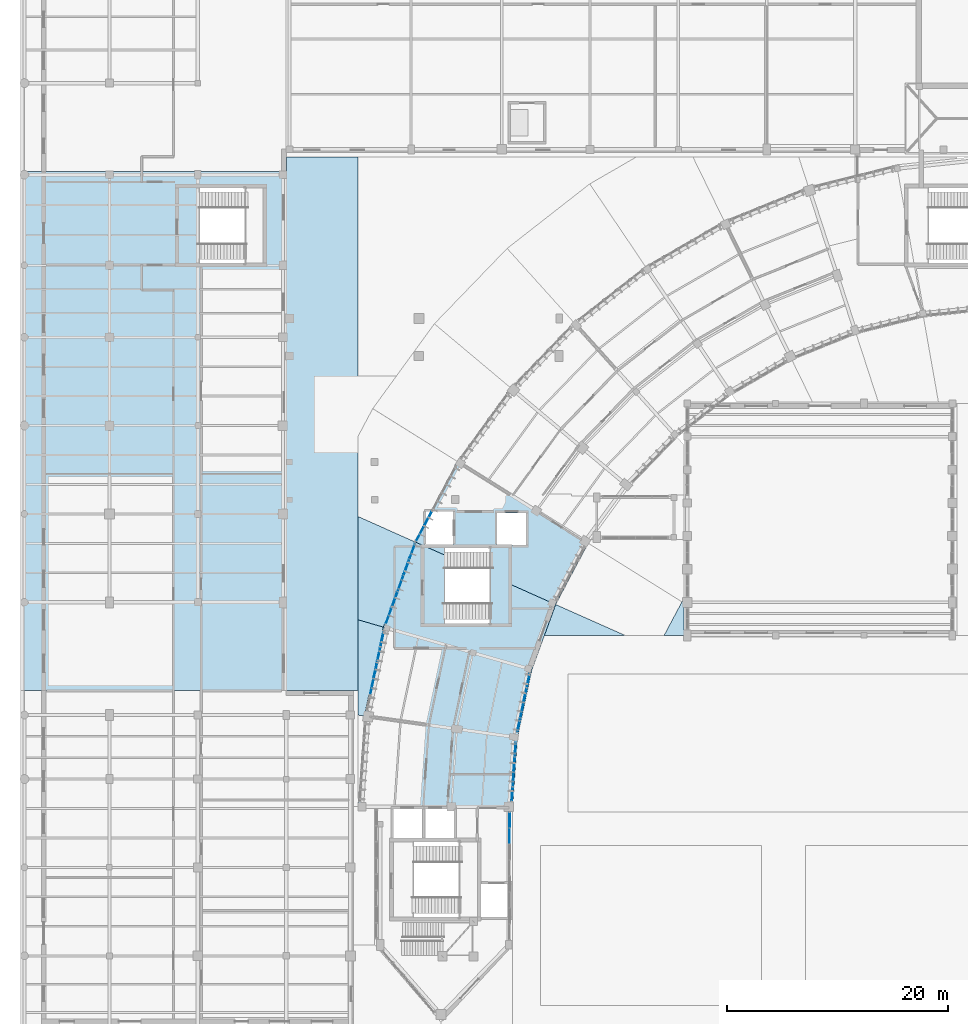
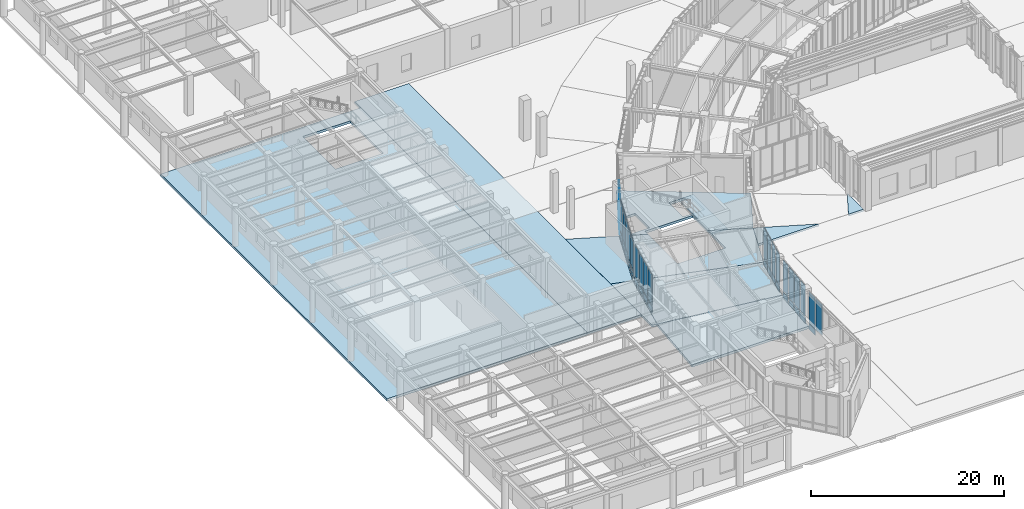
# One storey, part 21 of 68: 41 plates, 11 slabs, 7 elements without a shape of their own.
"""IFC4 building model written with IfcOpenShell, lengths in metres."""

from ifc_helpers import new_model, si_unit, direction, frame, origin, origin_2d, place, context, subcontext, project, spatial, polyline, rectangle, outline, extrude, material, layer, layer_set, type_object, element, aggregate, save


model = new_model("IFC4")

# Units and contexts
model_context = context("Model", 3, precision=1e-05, world=origin(), true_north=direction((0.0, 1.0)))
body_context = subcontext(model_context, "Body", "Model", "MODEL_VIEW")
ifc_project = project(units=[si_unit("LENGTHUNIT", "METRE"), si_unit("AREAUNIT", "SQUARE_METRE"), si_unit("VOLUMEUNIT", "CUBIC_METRE"), si_unit("PLANEANGLEUNIT", "RADIAN"), si_unit("MASSUNIT", "GRAM", prefix="KILO"), si_unit("THERMODYNAMICTEMPERATUREUNIT", "KELVIN"), si_unit("POWERUNIT", "WATT")], contexts=[model_context])

# Site, building, storey
site_placement = place(None, origin())
site = spatial("IfcSite", under=ifc_project, at=site_placement, CompositionType="ELEMENT")
building_placement = place(site_placement, origin())
building = spatial("IfcBuilding", under=site, at=building_placement, Name="Solvatero Civic Police Headquarters", CompositionType="ELEMENT")
storey_placement = place(building_placement, origin())
storey = spatial("IfcBuildingStorey", under=building, at=storey_placement, Name="L00", CompositionType="ELEMENT", Elevation=0.0)

# Curtain wall, plate
ifc_material_1 = material(Name="Anodized Bronze Aluminium", Category="aluminium")
ifc_layer_1 = layer(ifc_material_1, 0.179931640625)
ifc_layer_set_1 = layer_set([ifc_layer_1], Name="Anodized Bronze Aluminium")
curtain_wall_type_1 = type_object("IfcCurtainWallType", Name="CW-ARC-OUT", PredefinedType="USERDEFINED", material=ifc_layer_set_1)
curtain_wall_1_placement = place(storey_placement, origin())
curtain_wall_1 = element("IfcCurtainWall", 1, at=curtain_wall_1_placement, inside=storey, type_object=curtain_wall_type_1, Name="Curtain Wall CW-R2-L00-ARC-OUT-B09", ObjectType="UNITISED", PredefinedType="USERDEFINED")
ifc_material_2 = material(Name="Triple Low-E Laminated Glass", Category="glass")
ifc_layer_2 = layer(ifc_material_2, 0.0380859375)
ifc_layer_set_2 = layer_set([ifc_layer_2], Name="Triple Low-E Laminated Glass")
plate_type_1 = type_object("IfcPlateType", Name="CWP-GLZ-38", PredefinedType="CURTAIN_PANEL", material=ifc_layer_set_2)
plate_1_placement = place(storey_placement, frame((40.602294921875, 50.685791015625, 0.91015625), z_axis=(0.0, 0.0, 1.0), x_axis=(-0.469471562786, -0.882947592859, 0.0)))
plate_1 = element("IfcPlate", 2, at=plate_1_placement, type_object=plate_type_1, Name="CW-R2-L00-ARC-OUT-B09 Vision Glazing 5", PredefinedType="CURTAIN_PANEL", context=body_context, shape_type="SweptSolid", body=[
    extrude(rectangle(XDim=1.36962890625, YDim=0.0380859375, at=origin_2d()), origin(), (0.0, 0.0, 1.0), 3.909912109375),
])

# Curtain wall, plates
curtain_wall_2_placement = place(storey_placement, origin())
curtain_wall_2 = element("IfcCurtainWall", 3, at=curtain_wall_2_placement, inside=storey, type_object=curtain_wall_type_1, Name="Curtain Wall CW-R2-L00-ARC-OUT-B10", ObjectType="UNITISED", PredefinedType="USERDEFINED")
plate_2_placement = place(storey_placement, frame((39.92138671875, 49.15478515625, 0.91015625), z_axis=(0.0, 0.0, 1.0), x_axis=(-0.342003742543, -0.93969859002, 0.0)))
plate_2 = element("IfcPlate", 4, at=plate_2_placement, type_object=plate_type_1, Name="CW-R2-L00-ARC-OUT-B10 Vision Glazing 1", PredefinedType="CURTAIN_PANEL", context=body_context, shape_type="SweptSolid", body=[
    extrude(rectangle(XDim=1.3896484375, YDim=0.0380859375, at=origin_2d()), origin(), (0.0, 0.0, 1.0), 3.909912109375),
])
plate_3_placement = place(storey_placement, frame((38.84765625, 46.20458984375, 0.91015625), z_axis=(0.0, 0.0, 1.0), x_axis=(-0.342003742543, -0.93969859002, 0.0)))
plate_3 = element("IfcPlate", 5, at=plate_3_placement, type_object=plate_type_1, Name="CW-R2-L00-ARC-OUT-B10 Vision Glazing 3", PredefinedType="CURTAIN_PANEL", context=body_context, shape_type="SweptSolid", body=[
    extrude(rectangle(XDim=1.3896484375, YDim=0.0380859375, at=origin_2d()), origin(), (0.0, 0.0, 1.0), 3.909912109375),
])
plate_4_placement = place(storey_placement, frame((37.77392578125, 43.25439453125, 0.91015625), z_axis=(0.0, 0.0, 1.0), x_axis=(-0.342003742543, -0.93969859002, 0.0)))
plate_4 = element("IfcPlate", 6, at=plate_4_placement, type_object=plate_type_1, Name="CW-R2-L00-ARC-OUT-B10 Vision Glazing 5", PredefinedType="CURTAIN_PANEL", context=body_context, shape_type="SweptSolid", body=[
    extrude(rectangle(XDim=1.3896484375, YDim=0.0380859375, at=origin_2d()), origin(), (0.0, 0.0, 1.0), 3.909912109375),
])

curtain_wall_3_placement = place(storey_placement, origin())
curtain_wall_3 = element("IfcCurtainWall", 7, at=curtain_wall_3_placement, inside=storey, type_object=curtain_wall_type_1, Name="Curtain Wall CW-R2-L00-ARC-OUT-B11", ObjectType="UNITISED", PredefinedType="USERDEFINED")
plate_5_placement = place(storey_placement, frame((36.87548828125, 39.758056640625, 0.91015625), z_axis=(0.0, 0.0, 1.0), x_axis=(-0.207911690818, -0.978147600734, 0.0)))
plate_5 = element("IfcPlate", 8, at=plate_5_placement, type_object=plate_type_1, Name="CW-R2-L00-ARC-OUT-B11 Vision Glazing 2", PredefinedType="CURTAIN_PANEL", context=body_context, shape_type="SweptSolid", body=[
    extrude(rectangle(XDim=1.300537109375, YDim=0.0380859375, at=origin_2d()), origin(), (0.0, 0.0, 1.0), 3.909912109375),
])
plate_6_placement = place(storey_placement, frame((36.260009765625, 36.86181640625, 0.91015625), z_axis=(0.0, 0.0, 1.0), x_axis=(-0.207911690818, -0.978147600734, 0.0)))
plate_6 = element("IfcPlate", 9, at=plate_6_placement, type_object=plate_type_1, Name="CW-R2-L00-ARC-OUT-B11 Vision Glazing 4", PredefinedType="CURTAIN_PANEL", context=body_context, shape_type="SweptSolid", body=[
    extrude(rectangle(XDim=1.300537109375, YDim=0.0380859375, at=origin_2d()), origin(), (0.0, 0.0, 1.0), 3.909912109375),
])

ifc_layer_3 = layer(ifc_material_1, 0.179931640625)
ifc_layer_set_3 = layer_set([ifc_layer_3], Name="Anodized Bronze Aluminium")
curtain_wall_type_2 = type_object("IfcCurtainWallType", Name="CW-ARC-IN", PredefinedType="USERDEFINED", material=ifc_layer_set_3)
curtain_wall_4_placement = place(storey_placement, origin())
curtain_wall_4 = element("IfcCurtainWall", 10, at=curtain_wall_4_placement, inside=storey, type_object=curtain_wall_type_2, Name="Curtain Wall CW-R2-L00-ARC-IN-B11", ObjectType="UNITISED", PredefinedType="USERDEFINED")
plate_7_placement = place(storey_placement, frame((50.416259765625, 37.441650390625, 0.91015625), z_axis=(0.0, 0.0, 1.0), x_axis=(-0.207911690818, -0.978147600734, 0.0)))
plate_7 = element("IfcPlate", 11, at=plate_7_placement, type_object=plate_type_1, Name="CW-R2-L00-ARC-IN-B11 Vision Glazing 1", PredefinedType="CURTAIN_PANEL", context=body_context, shape_type="SweptSolid", body=[
    extrude(rectangle(XDim=1.206787109375, YDim=0.0380859375, at=origin_2d()), origin(), (0.0, 0.0, 1.0), 3.909912109375),
])
plate_8_placement = place(storey_placement, frame((49.839599609375, 34.728759765625, 0.91015625), z_axis=(0.0, 0.0, 1.0), x_axis=(-0.207911690818, -0.978147600734, 0.0)))
plate_8 = element("IfcPlate", 12, at=plate_8_placement, type_object=plate_type_1, Name="CW-R2-L00-ARC-IN-B11 Vision Glazing 3", PredefinedType="CURTAIN_PANEL", context=body_context, shape_type="SweptSolid", body=[
    extrude(rectangle(XDim=1.206787109375, YDim=0.0380859375, at=origin_2d()), origin(), (0.0, 0.0, 1.0), 3.909912109375),
])

curtain_wall_5_placement = place(storey_placement, origin())
curtain_wall_5 = element("IfcCurtainWall", 13, at=curtain_wall_5_placement, inside=storey, type_object=curtain_wall_type_2, Name="Curtain Wall CW-R2-L00-ARC-IN-B12", ObjectType="UNITISED", PredefinedType="USERDEFINED")
plate_9_placement = place(storey_placement, frame((49.2421875, 31.180419921875, 0.91015625), z_axis=(0.0, 0.0, 1.0), x_axis=(-0.069756473744, -0.99756405026, 0.0)))
plate_9 = element("IfcPlate", 14, at=plate_9_placement, type_object=plate_type_1, Name="CW-R2-L00-ARC-IN-B12 Vision Glazing 1", PredefinedType="CURTAIN_PANEL", context=body_context, shape_type="SweptSolid", body=[
    extrude(rectangle(XDim=1.175537109375, YDim=0.0380859375, at=origin_2d()), origin(), (0.0, 0.0, 1.0), 3.909912109375),
])
plate_10_placement = place(storey_placement, frame((49.052978515625, 28.47607421875, 0.91015625), z_axis=(0.0, 0.0, 1.0), x_axis=(-0.069756473744, -0.99756405026, 0.0)))
plate_10 = element("IfcPlate", 15, at=plate_10_placement, type_object=plate_type_1, Name="CW-R2-L00-ARC-IN-B12 Vision Glazing 3", PredefinedType="CURTAIN_PANEL", context=body_context, shape_type="SweptSolid", body=[
    extrude(rectangle(XDim=1.175537109375, YDim=0.0380859375, at=origin_2d()), origin(), (0.0, 0.0, 1.0), 3.909912109375),
])

# Curtain wall, plate
ifc_layer_4 = layer(ifc_material_1, 0.179931640625)
ifc_layer_set_4 = layer_set([ifc_layer_4], Name="Anodized Bronze Aluminium")
curtain_wall_type_3 = type_object("IfcCurtainWallType", Name="CW-PROW-GLZ", PredefinedType="USERDEFINED", material=ifc_layer_set_4)
curtain_wall_6_placement = place(storey_placement, origin())
curtain_wall_6 = element("IfcCurtainWall", 16, at=curtain_wall_6_placement, inside=storey, type_object=curtain_wall_type_3, Name="Curtain Wall CW-R2-L00-PROW-E", ObjectType="UNITISED", PredefinedType="USERDEFINED")
plate_11_placement = place(storey_placement, frame((48.719970703125, 23.36083984375, 0.91015625), z_axis=(0.0, 0.0, 1.0), x_axis=(0.0, 1.0, 0.0)))
plate_11 = element("IfcPlate", 17, at=plate_11_placement, type_object=plate_type_1, Name="CW-R2-L00-PROW-E Vision Glazing 7", PredefinedType="CURTAIN_PANEL", context=body_context, shape_type="SweptSolid", body=[
    extrude(rectangle(XDim=1.269287109375, YDim=0.0380859375, at=origin_2d()), origin(), (0.0, 0.0, 1.0), 3.909912109375),
])

# Plate
ifc_material_3 = material(Name="Acoustic Ballistic Laminated Glass", Category="glass")
ifc_layer_5 = layer(ifc_material_3, 0.0439453125)
ifc_layer_set_5 = layer_set([ifc_layer_5], Name="Acoustic Ballistic Laminated Glass")
plate_type_2 = type_object("IfcPlateType", Name="CWP-GLZ-44", PredefinedType="CURTAIN_PANEL", material=ifc_layer_set_5)
plate_12_placement = place(storey_placement, frame((41.329833984375, 52.05419921875, 0.91015625), z_axis=(0.0, 0.0, 1.0), x_axis=(-0.469471562786, -0.882947592859, 0.0)))
plate_12 = element("IfcPlate", 18, at=plate_12_placement, type_object=plate_type_2, Name="CW-R2-L00-ARC-OUT-B09 Vision Glazing 4", PredefinedType="CURTAIN_PANEL", context=body_context, shape_type="SweptSolid", body=[
    extrude(rectangle(XDim=1.36962890625, YDim=0.0439453125, at=origin_2d()), origin(), (0.0, 0.0, 1.0), 3.909912109375),
])

plate_13_placement = place(storey_placement, frame((39.384521484375, 47.6796875, 0.91015625), z_axis=(0.0, 0.0, 1.0), x_axis=(-0.342003742543, -0.93969859002, 0.0)))
plate_13 = element("IfcPlate", 19, at=plate_13_placement, type_object=plate_type_2, Name="CW-R2-L00-ARC-OUT-B10 Vision Glazing 2", PredefinedType="CURTAIN_PANEL", context=body_context, shape_type="SweptSolid", body=[
    extrude(rectangle(XDim=1.3896484375, YDim=0.0439453125, at=origin_2d()), origin(), (0.0, 0.0, 1.0), 3.909912109375),
])

plate_14_placement = place(storey_placement, frame((38.310791015625, 44.7294921875, 0.91015625), z_axis=(0.0, 0.0, 1.0), x_axis=(-0.342003742543, -0.93969859002, 0.0)))
plate_14 = element("IfcPlate", 20, at=plate_14_placement, type_object=plate_type_2, Name="CW-R2-L00-ARC-OUT-B10 Vision Glazing 4", PredefinedType="CURTAIN_PANEL", context=body_context, shape_type="SweptSolid", body=[
    extrude(rectangle(XDim=1.3896484375, YDim=0.0439453125, at=origin_2d()), origin(), (0.0, 0.0, 1.0), 3.909912109375),
])

plate_15_placement = place(storey_placement, frame((37.183349609375, 41.2060546875, 0.91015625), z_axis=(0.0, 0.0, 1.0), x_axis=(-0.207911690818, -0.978147600734, 0.0)))
plate_15 = element("IfcPlate", 21, at=plate_15_placement, type_object=plate_type_2, Name="CW-R2-L00-ARC-OUT-B11 Vision Glazing 1", PredefinedType="CURTAIN_PANEL", context=body_context, shape_type="SweptSolid", body=[
    extrude(rectangle(XDim=1.300537109375, YDim=0.0439453125, at=origin_2d()), origin(), (0.0, 0.0, 1.0), 3.909912109375),
])

plate_16_placement = place(storey_placement, frame((36.56787109375, 38.309814453125, 0.91015625), z_axis=(0.0, 0.0, 1.0), x_axis=(-0.207911690818, -0.978147600734, 0.0)))
plate_16 = element("IfcPlate", 22, at=plate_16_placement, type_object=plate_type_2, Name="CW-R2-L00-ARC-OUT-B11 Vision Glazing 3", PredefinedType="CURTAIN_PANEL", context=body_context, shape_type="SweptSolid", body=[
    extrude(rectangle(XDim=1.300537109375, YDim=0.0439453125, at=origin_2d()), origin(), (0.0, 0.0, 1.0), 3.909912109375),
])

plate_17_placement = place(storey_placement, frame((50.1279296875, 36.085205078125, 0.91015625), z_axis=(0.0, 0.0, 1.0), x_axis=(-0.207911690818, -0.978147600734, 0.0)))
plate_17 = element("IfcPlate", 23, at=plate_17_placement, type_object=plate_type_2, Name="CW-R2-L00-ARC-IN-B11 Vision Glazing 2", PredefinedType="CURTAIN_PANEL", context=body_context, shape_type="SweptSolid", body=[
    extrude(rectangle(XDim=1.206787109375, YDim=0.0439453125, at=origin_2d()), origin(), (0.0, 0.0, 1.0), 3.909912109375),
])

plate_18_placement = place(storey_placement, frame((49.551513671875, 33.372314453125, 0.91015625), z_axis=(0.0, 0.0, 1.0), x_axis=(-0.207911690818, -0.978147600734, 0.0)))
plate_18 = element("IfcPlate", 24, at=plate_18_placement, type_object=plate_type_2, Name="CW-R2-L00-ARC-IN-B11 Vision Glazing 4", PredefinedType="CURTAIN_PANEL", context=body_context, shape_type="SweptSolid", body=[
    extrude(rectangle(XDim=1.206787109375, YDim=0.0439453125, at=origin_2d()), origin(), (0.0, 0.0, 1.0), 3.909912109375),
])

plate_19_placement = place(storey_placement, frame((49.147705078125, 29.828369140625, 0.91015625), z_axis=(0.0, 0.0, 1.0), x_axis=(-0.069756473744, -0.99756405026, 0.0)))
plate_19 = element("IfcPlate", 25, at=plate_19_placement, type_object=plate_type_2, Name="CW-R2-L00-ARC-IN-B12 Vision Glazing 2", PredefinedType="CURTAIN_PANEL", context=body_context, shape_type="SweptSolid", body=[
    extrude(rectangle(XDim=1.175537109375, YDim=0.0439453125, at=origin_2d()), origin(), (0.0, 0.0, 1.0), 3.909912109375),
])

plate_20_placement = place(storey_placement, frame((48.95849609375, 27.1240234375, 0.91015625), z_axis=(0.0, 0.0, 1.0), x_axis=(-0.069756473744, -0.99756405026, 0.0)))
plate_20 = element("IfcPlate", 26, at=plate_20_placement, type_object=plate_type_2, Name="CW-R2-L00-ARC-IN-B12 Vision Glazing 4", PredefinedType="CURTAIN_PANEL", context=body_context, shape_type="SweptSolid", body=[
    extrude(rectangle(XDim=1.175537109375, YDim=0.0439453125, at=origin_2d()), origin(), (0.0, 0.0, 1.0), 3.909912109375),
])

plate_21_placement = place(storey_placement, frame((48.719970703125, 24.810302734375, 0.91015625), z_axis=(0.0, 0.0, 1.0), x_axis=(0.0, 1.0, 0.0)))
plate_21 = element("IfcPlate", 27, at=plate_21_placement, type_object=plate_type_2, Name="CW-R2-L00-PROW-E Vision Glazing 8", PredefinedType="CURTAIN_PANEL", context=body_context, shape_type="SweptSolid", body=[
    extrude(rectangle(XDim=1.269287109375, YDim=0.0439453125, at=origin_2d()), origin(), (0.0, 0.0, 1.0), 3.909912109375),
])

ifc_material_4 = material(Name="Insulated Bronze Aluminium Spandrel", Category="aluminium")
ifc_layer_6 = layer(ifc_material_4, 0.06005859375)
ifc_layer_set_6 = layer_set([ifc_layer_6], Name="Insulated Bronze Aluminium Spandrel")
plate_type_3 = type_object("IfcPlateType", Name="CWP-SPN-60", PredefinedType="CURTAIN_PANEL", material=ifc_layer_set_6)
plate_22_placement = place(storey_placement, frame((40.602294921875, 50.685791015625, 0.06005859375), z_axis=(0.0, 0.0, 1.0), x_axis=(-0.469471562786, -0.882947592859, 0.0)))
plate_22 = element("IfcPlate", 28, at=plate_22_placement, type_object=plate_type_3, Name="CW-R2-L00-ARC-OUT-B09 Spandrel Panel 5", PredefinedType="CURTAIN_PANEL", context=body_context, shape_type="SweptSolid", body=[
    extrude(rectangle(XDim=1.36962890625, YDim=0.06005859375, at=origin_2d()), origin(), (0.0, 0.0, 1.0), 0.72998046875),
])

plate_23_placement = place(storey_placement, frame((39.92138671875, 49.15478515625, 0.06005859375), z_axis=(0.0, 0.0, 1.0), x_axis=(-0.342003742543, -0.93969859002, 0.0)))
plate_23 = element("IfcPlate", 29, at=plate_23_placement, type_object=plate_type_3, Name="CW-R2-L00-ARC-OUT-B10 Spandrel Panel 1", PredefinedType="CURTAIN_PANEL", context=body_context, shape_type="SweptSolid", body=[
    extrude(rectangle(XDim=1.3896484375, YDim=0.06005859375, at=origin_2d()), origin(), (0.0, 0.0, 1.0), 0.72998046875),
])

plate_24_placement = place(storey_placement, frame((38.84765625, 46.20458984375, 0.06005859375), z_axis=(0.0, 0.0, 1.0), x_axis=(-0.342003742543, -0.93969859002, 0.0)))
plate_24 = element("IfcPlate", 30, at=plate_24_placement, type_object=plate_type_3, Name="CW-R2-L00-ARC-OUT-B10 Spandrel Panel 3", PredefinedType="CURTAIN_PANEL", context=body_context, shape_type="SweptSolid", body=[
    extrude(rectangle(XDim=1.3896484375, YDim=0.06005859375, at=origin_2d()), origin(), (0.0, 0.0, 1.0), 0.72998046875),
])

plate_25_placement = place(storey_placement, frame((37.77392578125, 43.25439453125, 0.06005859375), z_axis=(0.0, 0.0, 1.0), x_axis=(-0.342003742543, -0.93969859002, 0.0)))
plate_25 = element("IfcPlate", 31, at=plate_25_placement, type_object=plate_type_3, Name="CW-R2-L00-ARC-OUT-B10 Spandrel Panel 5", PredefinedType="CURTAIN_PANEL", context=body_context, shape_type="SweptSolid", body=[
    extrude(rectangle(XDim=1.3896484375, YDim=0.06005859375, at=origin_2d()), origin(), (0.0, 0.0, 1.0), 0.72998046875),
])

plate_26_placement = place(storey_placement, frame((36.87548828125, 39.758056640625, 0.06005859375), z_axis=(0.0, 0.0, 1.0), x_axis=(-0.207911690818, -0.978147600734, 0.0)))
plate_26 = element("IfcPlate", 32, at=plate_26_placement, type_object=plate_type_3, Name="CW-R2-L00-ARC-OUT-B11 Spandrel Panel 2", PredefinedType="CURTAIN_PANEL", context=body_context, shape_type="SweptSolid", body=[
    extrude(rectangle(XDim=1.300537109375, YDim=0.06005859375, at=origin_2d()), origin(), (0.0, 0.0, 1.0), 0.72998046875),
])

plate_27_placement = place(storey_placement, frame((36.260009765625, 36.86181640625, 0.06005859375), z_axis=(0.0, 0.0, 1.0), x_axis=(-0.207911690818, -0.978147600734, 0.0)))
plate_27 = element("IfcPlate", 33, at=plate_27_placement, type_object=plate_type_3, Name="CW-R2-L00-ARC-OUT-B11 Spandrel Panel 4", PredefinedType="CURTAIN_PANEL", context=body_context, shape_type="SweptSolid", body=[
    extrude(rectangle(XDim=1.300537109375, YDim=0.06005859375, at=origin_2d()), origin(), (0.0, 0.0, 1.0), 0.72998046875),
])

plate_28_placement = place(storey_placement, frame((50.416259765625, 37.441650390625, 0.06005859375), z_axis=(0.0, 0.0, 1.0), x_axis=(-0.207911690818, -0.978147600734, 0.0)))
plate_28 = element("IfcPlate", 34, at=plate_28_placement, type_object=plate_type_3, Name="CW-R2-L00-ARC-IN-B11 Spandrel Panel 1", PredefinedType="CURTAIN_PANEL", context=body_context, shape_type="SweptSolid", body=[
    extrude(rectangle(XDim=1.206787109375, YDim=0.06005859375, at=origin_2d()), origin(), (0.0, 0.0, 1.0), 0.72998046875),
])

plate_29_placement = place(storey_placement, frame((49.839599609375, 34.728759765625, 0.06005859375), z_axis=(0.0, 0.0, 1.0), x_axis=(-0.207911690818, -0.978147600734, 0.0)))
plate_29 = element("IfcPlate", 35, at=plate_29_placement, type_object=plate_type_3, Name="CW-R2-L00-ARC-IN-B11 Spandrel Panel 3", PredefinedType="CURTAIN_PANEL", context=body_context, shape_type="SweptSolid", body=[
    extrude(rectangle(XDim=1.206787109375, YDim=0.06005859375, at=origin_2d()), origin(), (0.0, 0.0, 1.0), 0.72998046875),
])

plate_30_placement = place(storey_placement, frame((49.2421875, 31.180419921875, 0.06005859375), z_axis=(0.0, 0.0, 1.0), x_axis=(-0.069756473744, -0.99756405026, 0.0)))
plate_30 = element("IfcPlate", 36, at=plate_30_placement, type_object=plate_type_3, Name="CW-R2-L00-ARC-IN-B12 Spandrel Panel 1", PredefinedType="CURTAIN_PANEL", context=body_context, shape_type="SweptSolid", body=[
    extrude(rectangle(XDim=1.175537109375, YDim=0.06005859375, at=origin_2d()), origin(), (0.0, 0.0, 1.0), 0.72998046875),
])

plate_31_placement = place(storey_placement, frame((49.052978515625, 28.47607421875, 0.06005859375), z_axis=(0.0, 0.0, 1.0), x_axis=(-0.069756473744, -0.99756405026, 0.0)))
plate_31 = element("IfcPlate", 37, at=plate_31_placement, type_object=plate_type_3, Name="CW-R2-L00-ARC-IN-B12 Spandrel Panel 3", PredefinedType="CURTAIN_PANEL", context=body_context, shape_type="SweptSolid", body=[
    extrude(rectangle(XDim=1.175537109375, YDim=0.06005859375, at=origin_2d()), origin(), (0.0, 0.0, 1.0), 0.72998046875),
])

ifc_material_5 = material(Name="Limestone Veneer Spandrel Panel", Category="masonry")
ifc_layer_7 = layer(ifc_material_5, 0.074951171875)
ifc_layer_set_7 = layer_set([ifc_layer_7], Name="Limestone Veneer Spandrel Panel")
plate_type_4 = type_object("IfcPlateType", Name="CWP-SPN-75", PredefinedType="CURTAIN_PANEL", material=ifc_layer_set_7)
plate_32_placement = place(storey_placement, frame((41.329833984375, 52.05419921875, 0.06005859375), z_axis=(0.0, 0.0, 1.0), x_axis=(-0.469471562786, -0.882947592859, 0.0)))
plate_32 = element("IfcPlate", 38, at=plate_32_placement, type_object=plate_type_4, Name="CW-R2-L00-ARC-OUT-B09 Spandrel Panel 4", PredefinedType="CURTAIN_PANEL", context=body_context, shape_type="SweptSolid", body=[
    extrude(rectangle(XDim=1.36962890625, YDim=0.074951171875, at=origin_2d()), origin(), (0.0, 0.0, 1.0), 0.72998046875),
])

aggregate(curtain_wall_1, [plate_32, plate_12, plate_22, plate_1])

plate_33_placement = place(storey_placement, frame((39.384521484375, 47.6796875, 0.06005859375), z_axis=(0.0, 0.0, 1.0), x_axis=(-0.342003742543, -0.93969859002, 0.0)))
plate_33 = element("IfcPlate", 39, at=plate_33_placement, type_object=plate_type_4, Name="CW-R2-L00-ARC-OUT-B10 Spandrel Panel 2", PredefinedType="CURTAIN_PANEL", context=body_context, shape_type="SweptSolid", body=[
    extrude(rectangle(XDim=1.3896484375, YDim=0.074951171875, at=origin_2d()), origin(), (0.0, 0.0, 1.0), 0.72998046875),
])

plate_34_placement = place(storey_placement, frame((38.310791015625, 44.7294921875, 0.06005859375), z_axis=(0.0, 0.0, 1.0), x_axis=(-0.342003742543, -0.93969859002, 0.0)))
plate_34 = element("IfcPlate", 40, at=plate_34_placement, type_object=plate_type_4, Name="CW-R2-L00-ARC-OUT-B10 Spandrel Panel 4", PredefinedType="CURTAIN_PANEL", context=body_context, shape_type="SweptSolid", body=[
    extrude(rectangle(XDim=1.3896484375, YDim=0.074951171875, at=origin_2d()), origin(), (0.0, 0.0, 1.0), 0.72998046875),
])

aggregate(curtain_wall_2, [plate_23, plate_2, plate_33, plate_13, plate_24, plate_3, plate_34, plate_14, plate_25, plate_4])

plate_35_placement = place(storey_placement, frame((37.183349609375, 41.2060546875, 0.06005859375), z_axis=(0.0, 0.0, 1.0), x_axis=(-0.207911690818, -0.978147600734, 0.0)))
plate_35 = element("IfcPlate", 41, at=plate_35_placement, type_object=plate_type_4, Name="CW-R2-L00-ARC-OUT-B11 Spandrel Panel 1", PredefinedType="CURTAIN_PANEL", context=body_context, shape_type="SweptSolid", body=[
    extrude(rectangle(XDim=1.300537109375, YDim=0.074951171875, at=origin_2d()), origin(), (0.0, 0.0, 1.0), 0.72998046875),
])

plate_36_placement = place(storey_placement, frame((36.56787109375, 38.309814453125, 0.06005859375), z_axis=(0.0, 0.0, 1.0), x_axis=(-0.207911690818, -0.978147600734, 0.0)))
plate_36 = element("IfcPlate", 42, at=plate_36_placement, type_object=plate_type_4, Name="CW-R2-L00-ARC-OUT-B11 Spandrel Panel 3", PredefinedType="CURTAIN_PANEL", context=body_context, shape_type="SweptSolid", body=[
    extrude(rectangle(XDim=1.300537109375, YDim=0.074951171875, at=origin_2d()), origin(), (0.0, 0.0, 1.0), 0.72998046875),
])

aggregate(curtain_wall_3, [plate_35, plate_15, plate_26, plate_5, plate_36, plate_16, plate_27, plate_6])

plate_37_placement = place(storey_placement, frame((50.1279296875, 36.085205078125, 0.06005859375), z_axis=(0.0, 0.0, 1.0), x_axis=(-0.207911690818, -0.978147600734, 0.0)))
plate_37 = element("IfcPlate", 43, at=plate_37_placement, type_object=plate_type_4, Name="CW-R2-L00-ARC-IN-B11 Spandrel Panel 2", PredefinedType="CURTAIN_PANEL", context=body_context, shape_type="SweptSolid", body=[
    extrude(rectangle(XDim=1.206787109375, YDim=0.074951171875, at=origin_2d()), origin(), (0.0, 0.0, 1.0), 0.72998046875),
])

plate_38_placement = place(storey_placement, frame((49.551513671875, 33.372314453125, 0.06005859375), z_axis=(0.0, 0.0, 1.0), x_axis=(-0.207911690818, -0.978147600734, 0.0)))
plate_38 = element("IfcPlate", 44, at=plate_38_placement, type_object=plate_type_4, Name="CW-R2-L00-ARC-IN-B11 Spandrel Panel 4", PredefinedType="CURTAIN_PANEL", context=body_context, shape_type="SweptSolid", body=[
    extrude(rectangle(XDim=1.206787109375, YDim=0.074951171875, at=origin_2d()), origin(), (0.0, 0.0, 1.0), 0.72998046875),
])

aggregate(curtain_wall_4, [plate_28, plate_7, plate_37, plate_17, plate_29, plate_8, plate_38, plate_18])

plate_39_placement = place(storey_placement, frame((49.147705078125, 29.828369140625, 0.06005859375), z_axis=(0.0, 0.0, 1.0), x_axis=(-0.069756473744, -0.99756405026, 0.0)))
plate_39 = element("IfcPlate", 45, at=plate_39_placement, type_object=plate_type_4, Name="CW-R2-L00-ARC-IN-B12 Spandrel Panel 2", PredefinedType="CURTAIN_PANEL", context=body_context, shape_type="SweptSolid", body=[
    extrude(rectangle(XDim=1.175537109375, YDim=0.074951171875, at=origin_2d()), origin(), (0.0, 0.0, 1.0), 0.72998046875),
])

plate_40_placement = place(storey_placement, frame((48.95849609375, 27.1240234375, 0.06005859375), z_axis=(0.0, 0.0, 1.0), x_axis=(-0.069756473744, -0.99756405026, 0.0)))
plate_40 = element("IfcPlate", 46, at=plate_40_placement, type_object=plate_type_4, Name="CW-R2-L00-ARC-IN-B12 Spandrel Panel 4", PredefinedType="CURTAIN_PANEL", context=body_context, shape_type="SweptSolid", body=[
    extrude(rectangle(XDim=1.175537109375, YDim=0.074951171875, at=origin_2d()), origin(), (0.0, 0.0, 1.0), 0.72998046875),
])

aggregate(curtain_wall_5, [plate_30, plate_9, plate_39, plate_19, plate_31, plate_10, plate_40, plate_20])

plate_41_placement = place(storey_placement, frame((48.719970703125, 24.810302734375, 0.06005859375), z_axis=(0.0, 0.0, 1.0), x_axis=(0.0, 1.0, 0.0)))
plate_41 = element("IfcPlate", 47, at=plate_41_placement, type_object=plate_type_4, Name="CW-R2-L00-PROW-E Spandrel Panel 8", PredefinedType="CURTAIN_PANEL", context=body_context, shape_type="SweptSolid", body=[
    extrude(rectangle(XDim=1.269287109375, YDim=0.074951171875, at=origin_2d()), origin(), (0.0, 0.0, 1.0), 0.72998046875),
])

aggregate(curtain_wall_6, [plate_11, plate_41, plate_21])

# Stair, slab
ifc_material_6 = material(Name="Precast concrete C40/50", Category="concrete")
stair_type = type_object("IfcStairType", Name="STR-C150-510", PredefinedType="HALF_TURN_STAIR", material=ifc_material_6)
stair_placement = place(storey_placement, origin())
stair = element("IfcStair", 48, at=stair_placement, inside=storey, type_object=stair_type, Name="Protected Exit Stair ST-C2 (L00 to L01)", PredefinedType="HALF_TURN_STAIR")
ifc_layer_8 = layer(ifc_material_6, 0.199951171875)
ifc_layer_set_8 = layer_set([ifc_layer_8], Name="Precast concrete C40/50")
slab_type_1 = type_object("IfcSlabType", Name="SLB-LND-200", PredefinedType="LANDING", material=ifc_layer_set_8)
slab_1_placement = place(storey_placement, frame((0.0, 0.0, 2.35009765625)))
slab_1 = element("IfcSlab", 49, at=slab_1_placement, type_object=slab_type_1, Name="ST-C2 L00 Half-Landing", PredefinedType="LANDING", context=body_context, shape_type="SweptSolid", body=[
    extrude(outline(polyline([(46.965087890625, 42.449951171875), (48.75, 42.449951171875), (48.75, 49.550048828125), (46.965087890625, 49.550048828125), (46.965087890625, 42.449951171875)])), origin(), (0.0, 0.0, 1.0), 0.199951171875),
])
aggregate(stair, [slab_1])

# Slabs
ifc_material_7 = material(Name="Concrete C40/50", Category="concrete")
ifc_layer_9 = layer(ifc_material_7, 0.300048828125)
ifc_layer_set_9 = layer_set([ifc_layer_9], Name="Concrete C40/50")
slab_type_2 = type_object("IfcSlabType", Name="SLB-RC-300", PredefinedType="FLOOR", material=ifc_layer_set_9)
slab_2_placement = place(storey_placement, frame((0.0, 0.0, -0.300048828125)))
element("IfcSlab", 50, at=slab_2_placement, inside=storey, type_object=slab_type_2, Name="L00 Operations Arc Floor Slab Bay 9", PredefinedType="FLOOR", context=body_context, shape_type="SweptSolid", body=[
    extrude(outline(polyline([(52.890380859375, 44.302978515625), (48.60009765625, 46.21337890625), (48.60009765625, 49.39990234375), (42.860107421875, 49.39990234375), (42.860107421875, 48.76904296875), (40.100830078125, 49.99755859375), (41.0, 51.688720703125), (41.0, 49.699951171875), (43.60009765625, 49.699951171875), (43.60009765625, 52.699951171875), (41.537841796875, 52.699951171875), (43.96435546875, 57.263427734375), (55.8369140625, 49.844482421875), (52.890380859375, 44.302978515625)]), holes=[polyline([(50.199951171875, 49.699951171875), (50.199951171875, 52.60009765625), (47.60009765625, 52.60009765625), (47.60009765625, 49.699951171875), (50.199951171875, 49.699951171875)])]), origin(), (0.0, 0.0, 1.0), 0.300048828125),
])
slab_3_placement = place(storey_placement, frame((0.0, 0.0, -0.300048828125)))
element("IfcSlab", 51, at=slab_3_placement, inside=storey, type_object=slab_type_2, Name="L00 Operations Arc Floor Slab Bay 10", PredefinedType="FLOOR", context=body_context, shape_type="SweptSolid", body=[
    extrude(outline(polyline([(37.28564453125, 42.2626953125), (40.10009765625, 49.99560546875), (42.860107421875, 48.766845703125), (42.860107421875, 42.60009765625), (48.60009765625, 42.60009765625), (48.60009765625, 46.211181640625), (52.889892578125, 44.30126953125), (50.7431640625, 38.40380859375), (37.28564453125, 42.2626953125)])), origin(), (0.0, 0.0, 1.0), 0.300048828125),
])
slab_4_placement = place(storey_placement, frame((0.0, 0.0, -0.300048828125)))
element("IfcSlab", 52, at=slab_4_placement, inside=storey, type_object=slab_type_2, Name="L00 Operations Arc Floor Slab Bay 11", PredefinedType="FLOOR", context=body_context, shape_type="SweptSolid", body=[
    extrude(outline(polyline([(37.28515625, 42.260498046875), (50.742919921875, 38.401611328125), (49.43798828125, 32.2626953125), (35.57421875, 34.211181640625), (37.28515625, 42.260498046875)])), origin(), (0.0, 0.0, 1.0), 0.300048828125),
])
slab_5_placement = place(storey_placement, frame((0.0, 0.0, -0.300048828125)))
element("IfcSlab", 53, at=slab_5_placement, inside=storey, type_object=slab_type_2, Name="L00 Operations Arc Floor Slab Bay 12", PredefinedType="FLOOR", context=body_context, shape_type="SweptSolid", body=[
    extrude(outline(polyline([(35.57421875, 34.209228515625), (49.437744140625, 32.2607421875), (49.0, 26.001953125), (36.498046875, 26.001953125), (36.498046875, 26.0), (35.0, 26.0), (35.57421875, 34.209228515625)])), origin(), (0.0, 0.0, 1.0), 0.300048828125),
])
slab_6_placement = place(storey_placement, frame((0.0, 0.0, -0.300048828125)))
element("IfcSlab", 54, at=slab_6_placement, inside=storey, type_object=slab_type_2, Name="L00 Suspended floor slab SLB-L00-V6", PredefinedType="FLOOR", context=body_context, shape_type="SweptSolid", body=[
    extrude(outline(polyline([(4.5, 83.5), (28.5, 83.5), (28.5, 36.501953125), (4.5, 36.501953125), (4.5, 83.5)]), holes=[polyline([(20.659912109375, 82.0), (20.659912109375, 75.199951171875), (26.39990234375, 75.199951171875), (26.39990234375, 82.0), (20.659912109375, 82.0)])]), origin(), (0.0, 0.0, 1.0), 0.300048828125),
])
ifc_material_8 = material(Name="Concrete C35/45", Category="concrete")
ifc_layer_10 = layer(ifc_material_8, 0.260009765625)
ifc_layer_set_10 = layer_set([ifc_layer_10], Name="Concrete C35/45")
slab_type_3 = type_object("IfcSlabType", Name="SLB-TERR-260", PredefinedType="FLOOR", material=ifc_layer_set_10)
slab_7_placement = place(storey_placement, frame((0.0, 0.0, -0.260009765625)))
element("IfcSlab", 55, at=slab_7_placement, inside=storey, type_object=slab_type_3, Name="L00 Walkable roof terrace slab SLB-L00-COURT-SW", PredefinedType="FLOOR", context=body_context, shape_type="SweptSolid", body=[
    extrude(outline(polyline([(35.0, 36.5), (34.60205078125, 36.5), (34.60205078125, 36.501953125), (28.501953125, 36.501953125), (28.501953125, 84.798095703125), (35.0, 84.798095703125), (35.0, 36.5)])), origin(), (0.0, 0.0, 1.0), 0.260009765625),
])
slab_8_placement = place(storey_placement, frame((0.0, 0.0, -0.260009765625)))
element("IfcSlab", 56, at=slab_8_placement, inside=storey, type_object=slab_type_3, Name="L00 Walkable roof terrace slab SLB-L00-CRIN-B10", PredefinedType="FLOOR", context=body_context, shape_type="SweptSolid", body=[
    extrude(outline(polyline([(51.873046875, 41.501953125), (52.8916015625, 44.30029296875), (59.177001953125, 41.501953125), (51.873046875, 41.501953125)])), origin(), (0.0, 0.0, 1.0), 0.260009765625),
])
slab_9_placement = place(storey_placement, frame((0.0, 0.0, -0.260009765625)))
element("IfcSlab", 57, at=slab_9_placement, inside=storey, type_object=slab_type_3, Name="L00 Walkable roof terrace slab SLB-L00-CROUT-B10", PredefinedType="FLOOR", context=body_context, shape_type="SweptSolid", body=[
    extrude(outline(polyline([(35.001953125, 42.91748046875), (35.001953125, 52.265380859375), (40.098388671875, 49.996337890625), (37.28369140625, 42.26318359375), (35.001953125, 42.91748046875)])), origin(), (0.0, 0.0, 1.0), 0.260009765625),
])
slab_10_placement = place(storey_placement, frame((0.0, 0.0, -0.260009765625)))
element("IfcSlab", 58, at=slab_10_placement, inside=storey, type_object=slab_type_3, Name="L00 Walkable roof terrace slab SLB-L00-CROUT-B11", PredefinedType="FLOOR", context=body_context, shape_type="SweptSolid", body=[
    extrude(outline(polyline([(35.0, 34.2919921875), (35.0, 36.498046875), (35.001953125, 36.498046875), (35.001953125, 42.915283203125), (37.283203125, 42.26123046875), (35.572265625, 34.21142578125), (35.0, 34.2919921875)])), origin(), (0.0, 0.0, 1.0), 0.260009765625),
])
slab_11_placement = place(storey_placement, frame((0.0, 0.0, -0.260009765625)))
element("IfcSlab", 59, at=slab_11_placement, inside=storey, type_object=slab_type_3, Name="L00 Walkable roof terrace slab SLB-L00-COURT-FILL-P3", PredefinedType="FLOOR", context=body_context, shape_type="SweptSolid", body=[
    extrude(outline(polyline([(64.498046875, 44.791015625), (64.498046875, 41.501953125), (62.701416015625, 41.501953125), (64.320068359375, 44.546142578125), (64.498046875, 44.791015625)])), origin(), (0.0, 0.0, 1.0), 0.260009765625),
])

save(model, "model.ifc")
